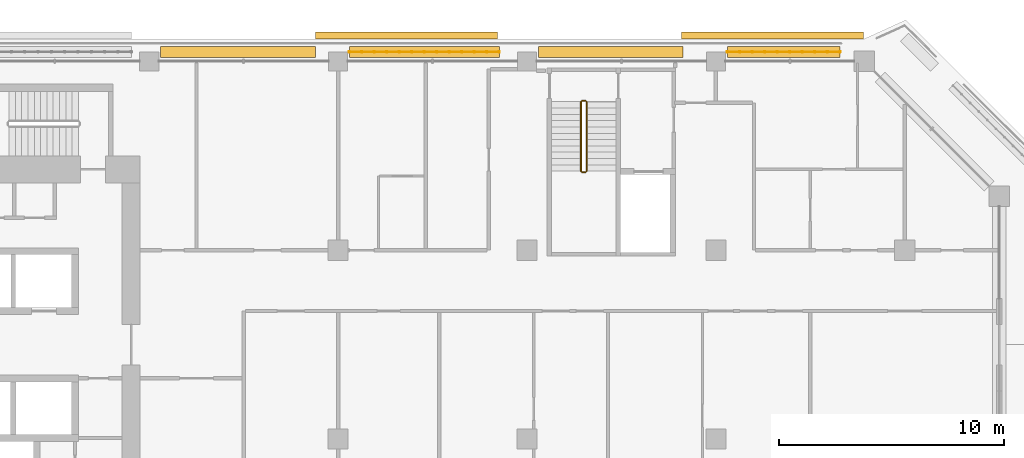
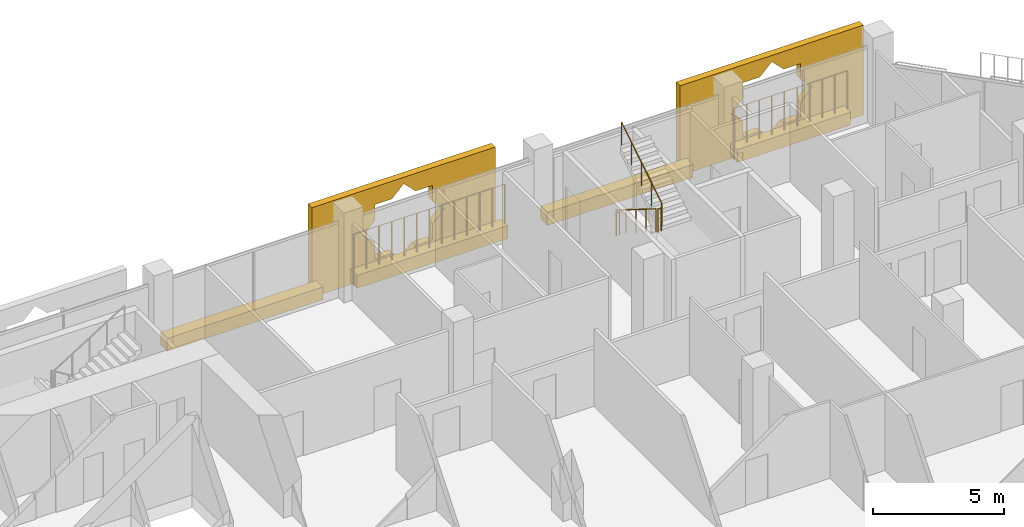
# One storey, part 19 of 20: 6 coverings, 6 railings.
"""IFC4 building model written with IfcOpenShell, lengths in metres."""

import ifcopenshell
import ifcopenshell.guid

model = None  # the IFC model being written
_history = None  # IfcOwnerHistory: only IFC2X3 demands one
_inside = {}  # id of a spatial element -> (the spatial element, [elements in it])
_under = {}  # id of a project, library or spatial element -> (it, [spatial elements below it])
_declared = {}  # id of a project -> (the project, [libraries it declares])
_typed = {}  # id of a type object -> (the type object, [elements of that type])
_made_of = {}  # id of a material, layer set ... -> (it, [elements and type objects made of it])


def new_model(schema):
    """Start an empty IFC model of exactly this schema.

    Asked for "IFC4X3", IfcOpenShell would pick the latest addendum, in which some entities
    have other attributes; the version numbers below select the first issue.
    IFC2X3 requires an IfcOwnerHistory on every rooted entity: one is made here for all.
    """
    global model, _history
    if schema == "IFC4X3":
        model = ifcopenshell.file(schema_version=(4, 3, 0, 0))
    else:
        model = ifcopenshell.file(schema=schema)
    _inside.clear()
    _under.clear()
    _declared.clear()
    _typed.clear()
    _made_of.clear()
    _history = None
    if model.schema == "IFC2X3":
        org = make("IfcOrganization", Name="unknown")
        user = make(
            "IfcPersonAndOrganization",
            ThePerson=make("IfcPerson", FamilyName="unknown"),
            TheOrganization=org,
        )
        app = make(
            "IfcApplication",
            ApplicationDeveloper=org,
            Version="unknown",
            ApplicationFullName="unknown",
            ApplicationIdentifier="unknown",
        )
        _history = make(
            "IfcOwnerHistory",
            OwningUser=user,
            OwningApplication=app,
            ChangeAction="ADDED",
            CreationDate=0,
        )
    return model


def make(cls, **values):
    """One entity of the class cls with the attributes given. An attribute that is None is left unset."""
    return model.create_entity(
        cls, **{name: value for name, value in values.items() if value is not None}
    )


def rooted(cls, **values):
    """An entity with a GlobalId (a new one), such as an element, a storey or a relation."""
    return make(cls, GlobalId=ifcopenshell.guid.new(), OwnerHistory=_history, **values)


def si_unit(unit_type, name, prefix=None):
    """IfcSIUnit, for example si_unit("LENGTHUNIT", "METRE", prefix="MILLI")."""
    return make("IfcSIUnit", UnitType=unit_type, Prefix=prefix, Name=name)


def assignment(units):
    """IfcUnitAssignment: the units of a project."""
    return None if units is None else make("IfcUnitAssignment", Units=units)


def point(xyz):
    """IfcCartesianPoint."""
    return None if xyz is None else make("IfcCartesianPoint", Coordinates=xyz)


def direction(xyz):
    """IfcDirection."""
    return None if xyz is None else make("IfcDirection", DirectionRatios=xyz)


def frame(location, z_axis=None, x_axis=None):
    """IfcAxis2Placement3D, a coordinate frame: its origin and axes. An axis left out is left unset."""
    return make(
        "IfcAxis2Placement3D",
        Location=point(location),
        Axis=direction(z_axis),
        RefDirection=direction(x_axis),
    )


def frame_2d(location, x_axis=None):
    """IfcAxis2Placement2D, a coordinate frame in the plane: its origin and x axis."""
    return make(
        "IfcAxis2Placement2D", Location=point(location), RefDirection=direction(x_axis)
    )


def origin():
    """The frame at (0, 0, 0) with its axes left unset."""
    return frame((0.0, 0.0, 0.0))


def origin_2d():
    """The frame at (0, 0) in the plane with its x axis left unset."""
    return frame_2d((0.0, 0.0))


def place(relative_to, where):
    """IfcLocalPlacement: puts the frame where relative to a parent placement (None: the world)."""
    return make(
        "IfcLocalPlacement", PlacementRelTo=relative_to, RelativePlacement=where
    )


def context(
    kind, dimensions, precision=None, world=None, true_north=None, identifier=None
):
    """IfcGeometricRepresentationContext, for example the 3D "Model" context."""
    return make(
        "IfcGeometricRepresentationContext",
        ContextIdentifier=identifier,
        ContextType=kind,
        CoordinateSpaceDimension=dimensions,
        Precision=precision,
        WorldCoordinateSystem=world,
        TrueNorth=true_north,
    )


def subcontext(parent, identifier, kind, view, scale=None):
    """IfcGeometricRepresentationSubContext, for example "Body" below "Model"."""
    return make(
        "IfcGeometricRepresentationSubContext",
        ContextIdentifier=identifier,
        ContextType=kind,
        ParentContext=parent,
        TargetScale=scale,
        TargetView=view,
    )


def project(units=None, contexts=None):
    """IfcProject with its units and contexts."""
    return rooted(
        "IfcProject",
        Name="project",
        RepresentationContexts=contexts,
        UnitsInContext=assignment(units),
    )


def spatial(cls, under=None, at=None, **own):
    """A site, building, storey or space (cls), placed at a placement, below another one or the project."""
    s = rooted(cls, ObjectPlacement=at, **own)
    if under is not None:
        _under.setdefault(under.id(), (under, []))[1].append(s)
    return s


def polyline(points):
    """IfcPolyline through the points."""
    return make("IfcPolyline", Points=[point(p) for p in points])


def profile(cls, at=None, kind="AREA", **sizes):
    """A parametric profile (cls). Its sizes go by their IFC names, for example OverallWidth=200.0."""
    return make(cls, ProfileType=kind, Position=at, **sizes)


def rectangle(**sizes):
    """IfcRectangleProfileDef."""
    return profile("IfcRectangleProfileDef", **sizes)


def circle(**sizes):
    """IfcCircleProfileDef."""
    return profile("IfcCircleProfileDef", **sizes)


def outline(outer, holes=None, kind="AREA"):
    """IfcArbitraryClosedProfileDef: a profile drawn as a closed curve; with holes, ...WithVoids."""
    if holes is None:
        return make("IfcArbitraryClosedProfileDef", ProfileType=kind, OuterCurve=outer)
    return make(
        "IfcArbitraryProfileDefWithVoids",
        ProfileType=kind,
        OuterCurve=outer,
        InnerCurves=holes,
    )


def extrude(swept, where, along, depth):
    """IfcExtrudedAreaSolid: the profile swept, set in the frame where, extruded along a direction by depth."""
    return make(
        "IfcExtrudedAreaSolid",
        SweptArea=swept,
        Position=where,
        ExtrudedDirection=direction(along),
        Depth=depth,
    )


def shape(context_of_items, identifier, shape_type, items):
    """IfcShapeRepresentation: the items that make up one representation, for example the "Body"."""
    return make(
        "IfcShapeRepresentation",
        ContextOfItems=context_of_items,
        RepresentationIdentifier=identifier,
        RepresentationType=shape_type,
        Items=items,
    )


def material(Name=None, Category=None):
    """IfcMaterial."""
    return make("IfcMaterial", Name=Name, Category=Category)


def material_profile(
    of_material, cross_section, Name=None, Category=None, Priority=None
):
    """IfcMaterialProfile: a cross section and its material."""
    return make(
        "IfcMaterialProfile",
        Name=Name,
        Material=of_material,
        Profile=cross_section,
        Priority=Priority,
        Category=Category,
    )


def profile_set(profiles, Name=None, composite=None):
    """IfcMaterialProfileSet."""
    return make(
        "IfcMaterialProfileSet",
        Name=Name,
        MaterialProfiles=profiles,
        CompositeProfile=composite,
    )


def made_of(thing, what):
    """Note that an element or type object is made of a material, layer set ...; save() writes the relation."""
    if what is not None:
        _made_of.setdefault(what.id(), (what, []))[1].append(thing)
    return thing


def type_object(cls, material=None, **own):
    """A type object (cls), such as IfcWallType, which elements share."""
    return made_of(rooted(cls, **own), material)


def element(
    cls,
    number,
    at=None,
    inside=None,
    cuts=None,
    type_object=None,
    material=None,
    context=None,
    identifier="Body",
    shape_type=None,
    held_by="IfcProductDefinitionShape",
    body=None,
    shapes=None,
    **own,
):
    """One element of the class cls, such as IfcWall. Its Tag is "e" and its number.

    at: its placement. inside: the storey or other place that contains it. cuts: it is an
    opening in that element (IfcRelVoidsElement). A single representation is given by context,
    identifier, shape_type and body (its items); several are given by shapes. held_by: the class
    of the entity that holds the representations. save() writes the other relations.
    """
    e = rooted(cls, Tag="e%d" % number, ObjectPlacement=at, **own)
    if body is not None:
        shapes = [shape(context, identifier, shape_type, body)]
    if shapes is not None:
        e.Representation = make(held_by, Representations=shapes)
    if inside is not None:
        _inside.setdefault(inside.id(), (inside, []))[1].append(e)
    if cuts is not None:
        rooted(
            "IfcRelVoidsElement", RelatingBuildingElement=cuts, RelatedOpeningElement=e
        )
    if type_object is not None:
        _typed.setdefault(type_object.id(), (type_object, []))[1].append(e)
    return made_of(e, material)


def aggregate(whole, parts):
    """IfcRelAggregates: a whole, such as a stair, and the parts it consists of."""
    return rooted("IfcRelAggregates", RelatingObject=whole, RelatedObjects=parts)


def save(model, path):
    """Write the relations noted so far, then the file.

    IfcRelAggregates (storeys below a building ...), IfcRelContainedInSpatialStructure (elements
    in a storey), IfcRelDefinesByType, IfcRelAssociatesMaterial and IfcRelDeclares: one each for
    every whole, place, type object, material and project.
    """
    for whole, parts in _under.values():
        aggregate(whole, parts)
    for where, things in _inside.values():
        rooted(
            "IfcRelContainedInSpatialStructure",
            RelatedElements=things,
            RelatingStructure=where,
        )
    for kind, things in _typed.values():
        rooted("IfcRelDefinesByType", RelatedObjects=things, RelatingType=kind)
    for what, things in _made_of.values():
        rooted("IfcRelAssociatesMaterial", RelatedObjects=things, RelatingMaterial=what)
    for by, libraries in _declared.values():
        rooted("IfcRelDeclares", RelatingContext=by, RelatedDefinitions=libraries)
    model.write(path)


model = new_model("IFC4")

# Units and contexts
model_context = context("Model", 3, precision=1e-05, world=origin(), true_north=direction((0.0, 1.0)))
body_context = subcontext(model_context, "Body", "Model", "MODEL_VIEW")
ifc_project = project(units=[si_unit("LENGTHUNIT", "METRE"), si_unit("AREAUNIT", "SQUARE_METRE"), si_unit("VOLUMEUNIT", "CUBIC_METRE"), si_unit("PLANEANGLEUNIT", "RADIAN"), si_unit("MASSUNIT", "GRAM", prefix="KILO")], contexts=[model_context])

# Site, building, storey
site_placement = place(None, origin())
site = spatial("IfcSite", under=ifc_project, at=site_placement, CompositionType="ELEMENT")
building_placement = place(site_placement, origin())
building = spatial("IfcBuilding", under=site, at=building_placement, Name="Kawkab Arch Medical Tower", CompositionType="ELEMENT")
storey_placement = place(building_placement, frame((0.0, 0.0, 239.0)))
storey = spatial("IfcBuildingStorey", under=building, at=storey_placement, Name="L55", CompositionType="ELEMENT", Elevation=239.0)

# Coverings
ifc_material_1 = material(Name="Bronze anodised aluminium mashrabiya panel, eight-point star pattern", Category="aluminium")
ifc_material_profile_1 = material_profile(ifc_material_1, outline(polyline([(-4.050048828125, -2.10009765625), (4.050048828125, -2.10009765625), (4.050048828125, 2.10009765625), (-4.050048828125, 2.10009765625), (-4.050048828125, -2.10009765625)]), holes=[polyline([(1.800048828125, 0.0), (1.272705078125, 0.527099609375), (1.272705078125, 1.272705078125), (0.527099609375, 1.272705078125), (0.0, 1.800048828125), (-0.527099609375, 1.272705078125), (-1.272705078125, 1.272705078125), (-1.272705078125, 0.527099609375), (-1.800048828125, 0.0), (-1.272705078125, -0.527099609375), (-1.272705078125, -1.272705078125), (-0.527099609375, -1.272705078125), (0.0, -1.800048828125), (0.527099609375, -1.272705078125), (1.272705078125, -1.272705078125), (1.272705078125, -0.527099609375), (1.800048828125, 0.0)])]), Name="Mashrabiya panel 8100x4200")
ifc_profile_set_1 = profile_set([ifc_material_profile_1], Name="Bronze anodised aluminium mashrabiya panel, eight-point star pattern")
covering_type_1 = type_object("IfcCoveringType", Name="Mashrabiya panel 8100 x 4200", PredefinedType="USERDEFINED", material=ifc_profile_set_1)
for number, where, z_axis, x_axis, name in (
    (1, (36.6435546875, 1.0, 1.699951171875), (0.0, 1.0, 0.0), (-1.0, 0.0, 0.0), "Mashrabiya panel L55.LOG-01-01.7"),
    (2, (52.910400390625, 1.0, 1.699951171875), (0.0, 1.0, 0.0), (-1.0, 0.0, 0.0), "Mashrabiya panel L55.LOG-01-01.8"),
):
    element("IfcCovering", number, at=place(storey_placement, frame(where, z_axis=z_axis, x_axis=x_axis)), inside=storey, type_object=covering_type_1, Name=name, ObjectType="SCREEN", PredefinedType="USERDEFINED", context=body_context, shape_type="SweptSolid", body=[
        extrude(outline(polyline([(-4.050048828125, -2.10009765625), (4.050048828125, -2.10009765625), (4.050048828125, 2.10009765625), (-4.050048828125, 2.10009765625), (-4.050048828125, -2.10009765625)]), holes=[polyline([(1.800048828125, 0.0), (1.272705078125, 0.527099609375), (1.272705078125, 1.272705078125), (0.527099609375, 1.272705078125), (0.0, 1.800048828125), (-0.527099609375, 1.272705078125), (-1.272705078125, 1.272705078125), (-1.272705078125, 0.527099609375), (-1.800048828125, 0.0), (-1.272705078125, -0.527099609375), (-1.272705078125, -1.272705078125), (-0.527099609375, -1.272705078125), (0.0, -1.800048828125), (0.527099609375, -1.272705078125), (1.272705078125, -1.272705078125), (1.272705078125, -0.527099609375), (1.800048828125, 0.0)])]), origin(), (0.0, 0.0, 1.0), 0.300048828125),
    ])
ifc_material_2 = material(Name="Planting soil in a precast trough", Category="concrete")
ifc_material_profile_2 = material_profile(ifc_material_2, rectangle(XDim=0.5, YDim=0.60009765625, at=origin_2d()), Name="Trough 500x600")
ifc_profile_set_2 = profile_set([ifc_material_profile_2], Name="Planting soil in a precast trough")
covering_type_2 = type_object("IfcCoveringType", Name="Planter trough 500 x 600", PredefinedType="USERDEFINED", material=ifc_profile_set_2)
covering_1_placement = place(storey_placement, frame((25.705078125, 0.419921875, 0.300048828125), z_axis=(1.0, 0.0, 0.0), x_axis=(0.0, 1.0, 0.0)))
element("IfcCovering", 3, at=covering_1_placement, inside=storey, type_object=covering_type_2, Name="Planter L55.LOG-01-01.20", ObjectType="PLANTER", PredefinedType="USERDEFINED", context=body_context, shape_type="SweptSolid", body=[
    extrude(rectangle(XDim=0.5, YDim=0.60009765625, at=origin_2d()), origin(), (0.0, 0.0, 1.0), 6.884033203125),
])
covering_2_placement = place(storey_placement, frame((34.10498046875, 0.419921875, 0.300048828125), z_axis=(1.0, 0.0, 0.0), x_axis=(0.0, 1.0, 0.0)))
element("IfcCovering", 4, at=covering_2_placement, inside=storey, type_object=covering_type_2, Name="Planter L55.LOG-01-01.21", ObjectType="PLANTER", PredefinedType="USERDEFINED", context=body_context, shape_type="SweptSolid", body=[
    extrude(rectangle(XDim=0.5, YDim=0.60009765625, at=origin_2d()), origin(), (0.0, 0.0, 1.0), 6.6630859375),
])
covering_3_placement = place(storey_placement, frame((42.5048828125, 0.419921875, 0.300048828125), z_axis=(1.0, 0.0, 0.0), x_axis=(0.0, 1.0, 0.0)))
element("IfcCovering", 5, at=covering_3_placement, inside=storey, type_object=covering_type_2, Name="Planter L55.LOG-01-01.22", ObjectType="PLANTER", PredefinedType="USERDEFINED", context=body_context, shape_type="SweptSolid", body=[
    extrude(rectangle(XDim=0.5, YDim=0.60009765625, at=origin_2d()), origin(), (0.0, 0.0, 1.0), 6.442138671875),
])
covering_4_placement = place(storey_placement, frame((50.905029296875, 0.419921875, 0.300048828125), z_axis=(1.0, 0.0, 0.0), x_axis=(0.0, 1.0, 0.0)))
element("IfcCovering", 6, at=covering_4_placement, inside=storey, type_object=covering_type_2, Name="Planter L55.LOG-01-01.23", ObjectType="PLANTER", PredefinedType="USERDEFINED", context=body_context, shape_type="SweptSolid", body=[
    extrude(rectangle(XDim=0.5, YDim=0.60009765625, at=origin_2d()), origin(), (0.0, 0.0, 1.0), 5.014892578125),
])

# Railings
ifc_material_3 = material(Name="Bronze anodised aluminium trellis for climbing plants", Category="aluminium")
railing_type_1 = type_object("IfcRailingType", Name="Planting trellis 2400", PredefinedType="USERDEFINED", material=ifc_material_3)
railing_1_placement = place(storey_placement, frame((34.10498046875, 0.419921875, 0.0)))
element("IfcRailing", 7, at=railing_1_placement, inside=storey, type_object=railing_type_1, Name="Planting trellis L55.LOG-01-01.21", ObjectType="TRELLIS", PredefinedType="USERDEFINED", context=body_context, shape_type="SweptSolid", body=[
    extrude(circle(Radius=0.01513671875, at=origin_2d()), frame((0.0, 0.0, 2.384765625), z_axis=(1.0, 0.0, 0.0), x_axis=(0.0, 1.0, 0.0)), (0.0, 0.0, 1.0), 6.6630859375),
    extrude(circle(Radius=0.030029296875, at=origin_2d()), origin(), (0.0, 0.0, 1.0), 2.369873046875),
    extrude(circle(Radius=0.030029296875, at=origin_2d()), frame((0.55517578125, 0.0, 0.0)), (0.0, 0.0, 1.0), 2.369873046875),
    extrude(circle(Radius=0.030029296875, at=origin_2d()), frame((1.110595703125, 0.0, 0.0)), (0.0, 0.0, 1.0), 2.369873046875),
    extrude(circle(Radius=0.030029296875, at=origin_2d()), frame((1.665771484375, 0.0, 0.0)), (0.0, 0.0, 1.0), 2.369873046875),
    extrude(circle(Radius=0.030029296875, at=origin_2d()), frame((2.220947265625, 0.0, 0.0)), (0.0, 0.0, 1.0), 2.369873046875),
    extrude(circle(Radius=0.030029296875, at=origin_2d()), frame((2.7763671875, 0.0, 0.0)), (0.0, 0.0, 1.0), 2.369873046875),
    extrude(circle(Radius=0.030029296875, at=origin_2d()), frame((3.33154296875, 0.0, 0.0)), (0.0, 0.0, 1.0), 2.369873046875),
    extrude(circle(Radius=0.030029296875, at=origin_2d()), frame((3.88671875, 0.0, 0.0)), (0.0, 0.0, 1.0), 2.369873046875),
    extrude(circle(Radius=0.030029296875, at=origin_2d()), frame((4.442138671875, 0.0, 0.0)), (0.0, 0.0, 1.0), 2.369873046875),
    extrude(circle(Radius=0.030029296875, at=origin_2d()), frame((4.997314453125, 0.0, 0.0)), (0.0, 0.0, 1.0), 2.369873046875),
    extrude(circle(Radius=0.030029296875, at=origin_2d()), frame((5.552490234375, 0.0, 0.0)), (0.0, 0.0, 1.0), 2.369873046875),
    extrude(circle(Radius=0.030029296875, at=origin_2d()), frame((6.10791015625, 0.0, 0.0)), (0.0, 0.0, 1.0), 2.369873046875),
    extrude(circle(Radius=0.030029296875, at=origin_2d()), frame((6.6630859375, 0.0, 0.0)), (0.0, 0.0, 1.0), 2.369873046875),
])
railing_2_placement = place(storey_placement, frame((50.905029296875, 0.419921875, 0.0)))
element("IfcRailing", 8, at=railing_2_placement, inside=storey, type_object=railing_type_1, Name="Planting trellis L55.LOG-01-01.23", ObjectType="TRELLIS", PredefinedType="USERDEFINED", context=body_context, shape_type="SweptSolid", body=[
    extrude(circle(Radius=0.01513671875, at=origin_2d()), frame((0.0, 0.0, 2.384765625), z_axis=(1.0, 0.0, 0.0), x_axis=(0.0, 1.0, 0.0)), (0.0, 0.0, 1.0), 5.014892578125),
    extrude(circle(Radius=0.030029296875, at=origin_2d()), origin(), (0.0, 0.0, 1.0), 2.369873046875),
    extrude(circle(Radius=0.030029296875, at=origin_2d()), frame((0.55712890625, 0.0, 0.0)), (0.0, 0.0, 1.0), 2.369873046875),
    extrude(circle(Radius=0.030029296875, at=origin_2d()), frame((1.114501953125, 0.0, 0.0)), (0.0, 0.0, 1.0), 2.369873046875),
    extrude(circle(Radius=0.030029296875, at=origin_2d()), frame((1.671630859375, 0.0, 0.0)), (0.0, 0.0, 1.0), 2.369873046875),
    extrude(circle(Radius=0.030029296875, at=origin_2d()), frame((2.228759765625, 0.0, 0.0)), (0.0, 0.0, 1.0), 2.369873046875),
    extrude(circle(Radius=0.030029296875, at=origin_2d()), frame((2.7861328125, 0.0, 0.0)), (0.0, 0.0, 1.0), 2.369873046875),
    extrude(circle(Radius=0.030029296875, at=origin_2d()), frame((3.34326171875, 0.0, 0.0)), (0.0, 0.0, 1.0), 2.369873046875),
    extrude(circle(Radius=0.030029296875, at=origin_2d()), frame((3.900390625, 0.0, 0.0)), (0.0, 0.0, 1.0), 2.369873046875),
    extrude(circle(Radius=0.030029296875, at=origin_2d()), frame((4.457763671875, 0.0, 0.0)), (0.0, 0.0, 1.0), 2.369873046875),
    extrude(circle(Radius=0.030029296875, at=origin_2d()), frame((5.014892578125, 0.0, 0.0)), (0.0, 0.0, 1.0), 2.369873046875),
])
ifc_material_4 = material(Name="Stainless steel", Category="steel")
railing_type_2 = type_object("IfcRailingType", Name="Stair guard 1100", PredefinedType="GUARDRAIL", material=ifc_material_4)
railing_3_placement = place(storey_placement, frame((44.39990234375, -1.800048828125, 0.175048828125)))
element("IfcRailing", 9, at=railing_3_placement, inside=storey, type_object=railing_type_2, Name="L55 ST5 stair guard 1", PredefinedType="GUARDRAIL", context=body_context, shape_type="SweptSolid", body=[
    extrude(circle(Radius=0.02392578125, at=origin_2d()), frame((0.0, 0.0, 1.076171875), z_axis=(0.0, -0.847979421464, 0.530029150871), x_axis=(1.0, 0.0, 0.0)), (0.0, 0.0, 1.0), 3.632080078125),
    extrude(circle(Radius=0.02099609375, at=origin_2d()), origin(), (0.0, 0.0, 1.0), 1.052001953125),
    extrude(circle(Radius=0.02099609375, at=origin_2d()), frame((0.0, -0.77001953125, 0.481201171875)), (0.0, 0.0, 1.0), 1.052001953125),
    extrude(circle(Radius=0.02099609375, at=origin_2d()), frame((0.0, -1.5400390625, 0.96240234375)), (0.0, 0.0, 1.0), 1.052001953125),
    extrude(circle(Radius=0.02099609375, at=origin_2d()), frame((0.0, -2.309814453125, 1.44384765625)), (0.0, 0.0, 1.0), 1.052001953125),
    extrude(circle(Radius=0.02099609375, at=origin_2d()), frame((0.0, -3.079833984375, 1.925048828125)), (0.0, 0.0, 1.0), 1.052001953125),
])
railing_4_placement = place(storey_placement, frame((44.449951171875, -4.929931640625, 2.10009765625)))
element("IfcRailing", 10, at=railing_4_placement, inside=storey, type_object=railing_type_2, Name="L55 ST5 stair guard 2", PredefinedType="GUARDRAIL", context=body_context, shape_type="SweptSolid", body=[
    extrude(circle(Radius=0.02392578125, at=origin_2d()), frame((0.0, 0.0, 1.076171875), z_axis=(1.0, 0.0, 0.0), x_axis=(0.0, 1.0, 0.0)), (0.0, 0.0, 1.0), 0.150146484375),
    extrude(circle(Radius=0.02099609375, at=origin_2d()), origin(), (0.0, 0.0, 1.0), 1.052001953125),
    extrude(circle(Radius=0.02099609375, at=origin_2d()), frame((0.150146484375, 0.0, 0.0)), (0.0, 0.0, 1.0), 1.052001953125),
])
railing_5_placement = place(storey_placement, frame((44.64990234375, -4.8798828125, 2.27490234375)))
element("IfcRailing", 11, at=railing_5_placement, inside=storey, type_object=railing_type_2, Name="L55 ST5 stair guard 3", PredefinedType="GUARDRAIL", context=body_context, shape_type="SweptSolid", body=[
    extrude(circle(Radius=0.02392578125, at=origin_2d()), frame((0.0, 0.0, 1.076171875), z_axis=(0.0, 0.847979421464, 0.530029150871), x_axis=(-1.0, 0.0, 0.0)), (0.0, 0.0, 1.0), 3.632080078125),
    extrude(circle(Radius=0.02099609375, at=origin_2d()), origin(), (0.0, 0.0, 1.0), 1.052001953125),
    extrude(circle(Radius=0.02099609375, at=origin_2d()), frame((0.0, 0.77001953125, 0.481201171875)), (0.0, 0.0, 1.0), 1.052001953125),
    extrude(circle(Radius=0.02099609375, at=origin_2d()), frame((0.0, 1.5400390625, 0.96240234375)), (0.0, 0.0, 1.0), 1.052001953125),
    extrude(circle(Radius=0.02099609375, at=origin_2d()), frame((0.0, 2.309814453125, 1.44384765625)), (0.0, 0.0, 1.0), 1.052001953125),
    extrude(circle(Radius=0.02099609375, at=origin_2d()), frame((0.0, 3.079833984375, 1.925048828125)), (0.0, 0.0, 1.0), 1.052001953125),
])
railing_6_placement = place(storey_placement, frame((44.449951171875, -1.75, 0.0)))
element("IfcRailing", 12, at=railing_6_placement, inside=storey, type_object=railing_type_2, Name="L55 ST5 stair guard 4", PredefinedType="GUARDRAIL", context=body_context, shape_type="SweptSolid", body=[
    extrude(circle(Radius=0.02392578125, at=origin_2d()), frame((0.0, 0.0, 1.076171875), z_axis=(1.0, 0.0, 0.0), x_axis=(0.0, 1.0, 0.0)), (0.0, 0.0, 1.0), 0.150146484375),
    extrude(circle(Radius=0.02099609375, at=origin_2d()), origin(), (0.0, 0.0, 1.0), 1.052001953125),
    extrude(circle(Radius=0.02099609375, at=origin_2d()), frame((0.150146484375, 0.0, 0.0)), (0.0, 0.0, 1.0), 1.052001953125),
])

save(model, "model.ifc")
